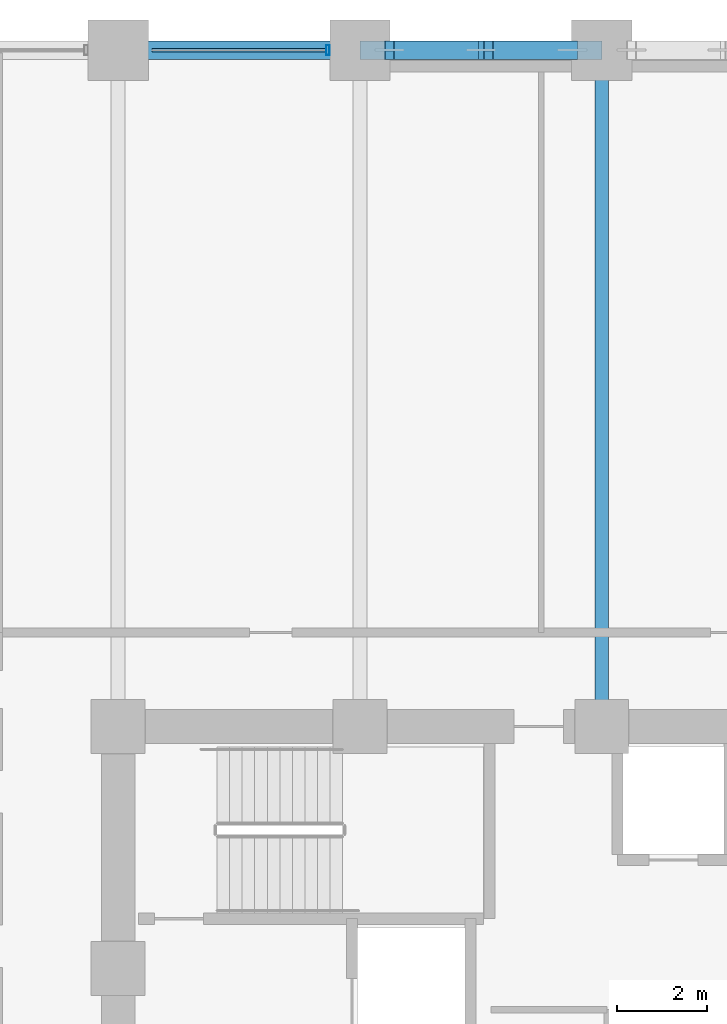
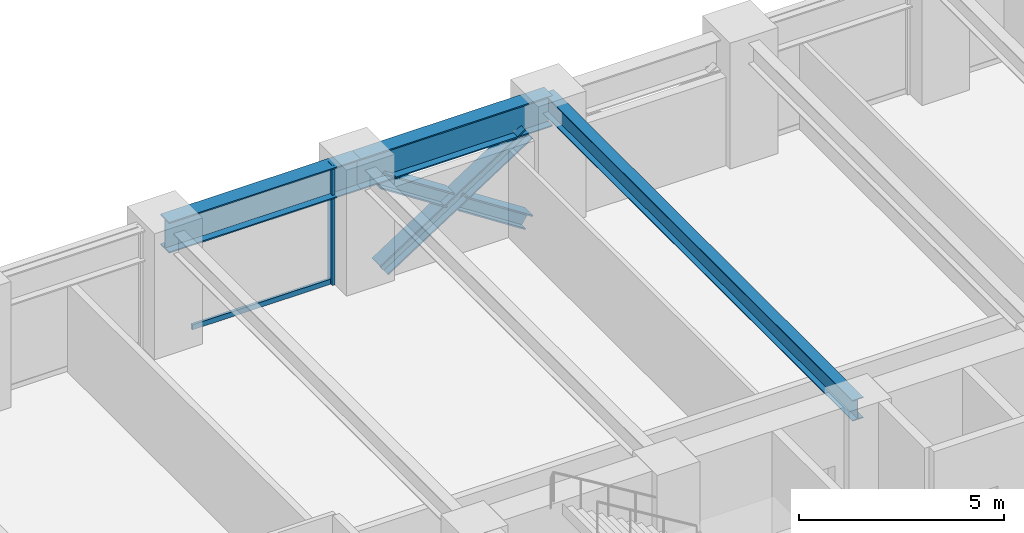
# One storey, part 13 of 25: 5 members, 3 beams, 1 element without a shape of its own.
"""IFC4 building model written with IfcOpenShell, lengths in metres."""

from ifc_helpers import new_model, si_unit, direction, frame, origin, origin_2d, place, context, subcontext, project, spatial, hollow_rectangle, i_section, extrude, material, layer, layer_set, material_profile, profile_set, type_object, element, aggregate, save


model = new_model("IFC4")

# Units and contexts
model_context = context("Model", 3, precision=1e-05, world=origin(), true_north=direction((0.0, 1.0)))
body_context = subcontext(model_context, "Body", "Model", "MODEL_VIEW")
ifc_project = project(units=[si_unit("LENGTHUNIT", "METRE"), si_unit("AREAUNIT", "SQUARE_METRE"), si_unit("VOLUMEUNIT", "CUBIC_METRE"), si_unit("PLANEANGLEUNIT", "RADIAN"), si_unit("MASSUNIT", "GRAM", prefix="KILO")], contexts=[model_context])

# Site, building, storey
site_placement = place(None, origin())
site = spatial("IfcSite", under=ifc_project, at=site_placement, CompositionType="ELEMENT")
building_placement = place(site_placement, origin())
building = spatial("IfcBuilding", under=site, at=building_placement, Name="Surkhivell Harbour Commons", CompositionType="ELEMENT")
storey_placement = place(building_placement, frame((0.0, 0.0, 41.25)))
storey = spatial("IfcBuildingStorey", under=building, at=storey_placement, Name="L10", CompositionType="ELEMENT", Elevation=41.25)

# Beams
ifc_material_1 = material(Name="Steel S355", Category="steel")
ifc_material_profile_1 = material_profile(ifc_material_1, i_section(OverallWidth=0.306884765625, OverallDepth=0.6201171875, WebThickness=0.01416015625, FlangeThickness=0.023681640625, at=origin_2d()), Name="UB610x305x179")
ifc_profile_set_1 = profile_set([ifc_material_profile_1], Name="Steel S355")
beam_type_1 = type_object("IfcBeamType", Name="BM-GRD-610A", PredefinedType="BEAM", material=ifc_profile_set_1)
beam_1_placement = place(storey_placement, frame((0.0, 10.800048828125, 3.260009765625), z_axis=(0.0, 1.0, 0.0), x_axis=(-1.0, 0.0, 0.0)))
element("IfcBeam", 1, at=beam_1_placement, inside=storey, type_object=beam_type_1, Name="L10 Floor Girder (0.0,10.8)", PredefinedType="BEAM", context=body_context, shape_type="SweptSolid", body=[
    extrude(i_section(OverallWidth=0.306884765625, OverallDepth=0.6201171875, WebThickness=0.01416015625, FlangeThickness=0.023681640625, at=origin_2d()), origin(), (0.0, 0.0, 1.0), 15.099853515625),
])
ifc_material_2 = material(Name="Steel S460", Category="steel")
ifc_material_profile_2 = material_profile(ifc_material_2, i_section(OverallWidth=0.419921875, OverallDepth=0.9208984375, WebThickness=0.021484375, FlangeThickness=0.03662109375, at=origin_2d()), Name="UB914x419x388")
ifc_profile_set_2 = profile_set([ifc_material_profile_2], Name="Steel S460")
beam_type_2 = type_object("IfcBeamType", Name="BM-SPN-914A", PredefinedType="SPANDREL", material=ifc_profile_set_2)
beam_2_placement = place(storey_placement, frame((-10.800048828125, 25.89990234375, 3.109619140625), z_axis=(1.0, 0.0, 0.0), x_axis=(0.0, 1.0, 0.0)))
element("IfcBeam", 2, at=beam_2_placement, inside=storey, type_object=beam_type_2, Name="L10 Tube Spandrel (-10.8,25.9)", PredefinedType="SPANDREL", context=body_context, shape_type="SweptSolid", body=[
    extrude(i_section(OverallWidth=0.419921875, OverallDepth=0.9208984375, WebThickness=0.021484375, FlangeThickness=0.03662109375, at=origin_2d()), origin(), (0.0, 0.0, 1.0), 5.400146484375),
])
beam_3_placement = place(storey_placement, frame((-5.39990234375, 25.89990234375, 3.109619140625), z_axis=(1.0, 0.0, 0.0), x_axis=(0.0, 1.0, 0.0)))
element("IfcBeam", 3, at=beam_3_placement, inside=storey, type_object=beam_type_2, Name="L10 Tube Spandrel (-5.4,25.9)", PredefinedType="SPANDREL", context=body_context, shape_type="SweptSolid", body=[
    extrude(i_section(OverallWidth=0.419921875, OverallDepth=0.9208984375, WebThickness=0.021484375, FlangeThickness=0.03662109375, at=origin_2d()), origin(), (0.0, 0.0, 1.0), 5.39990234375),
])

# Curtain wall, members
ifc_material_3 = material(Name="Anodised pale-metal aluminium and insulated glazing", Category="aluminium")
ifc_layer = layer(ifc_material_3, 0.219970703125)
ifc_layer_set = layer_set([ifc_layer], Name="Anodised pale-metal aluminium and insulated glazing")
curtain_wall_type = type_object("IfcCurtainWallType", Name="CW-SYS-Z1", PredefinedType="NOTDEFINED", material=ifc_layer_set)
curtain_wall_placement = place(storey_placement, origin())
curtain_wall = element("IfcCurtainWall", 4, at=curtain_wall_placement, inside=storey, type_object=curtain_wall_type, Name="L10 Curtain Wall CW-L10-E07S2", PredefinedType="NOTDEFINED")
ifc_material_4 = material(Name="Anodised pale-metal aluminium alloy 6063-T6", Category="aluminium")
ifc_material_profile_3 = material_profile(ifc_material_4, hollow_rectangle(XDim=0.074951171875, YDim=0.219970703125, WallThickness=0.00390625, at=origin_2d()), Name="ALU-MULL-75x220")
ifc_profile_set_3 = profile_set([ifc_material_profile_3], Name="Anodised pale-metal aluminium alloy 6063-T6")
member_type_1 = type_object("IfcMemberType", Name="CWM-220", PredefinedType="MULLION", material=ifc_profile_set_3)
member_1_placement = place(storey_placement, frame((-6.114501953125, 25.89990234375, 0.0), z_axis=(0.0, 0.0, 1.0), x_axis=(-1.0, 0.0, 0.0)))
member_1 = element("IfcMember", 5, at=member_1_placement, type_object=member_type_1, Name="CW-Z1 mullion 1", PredefinedType="MULLION", context=body_context, shape_type="SweptSolid", body=[
    extrude(hollow_rectangle(XDim=0.074951171875, YDim=0.219970703125, WallThickness=0.00390625, at=origin_2d()), origin(), (0.0, 0.0, 1.0), 3.570068359375),
])
ifc_material_profile_4 = material_profile(ifc_material_4, hollow_rectangle(XDim=0.074951171875, YDim=0.14990234375, WallThickness=0.00341796875, at=origin_2d()), Name="ALU-TRAN-75x150")
ifc_profile_set_4 = profile_set([ifc_material_profile_4], Name="Anodised pale-metal aluminium alloy 6063-T6")
member_type_2 = type_object("IfcMemberType", Name="CWT-150", PredefinedType="USERDEFINED", material=ifc_profile_set_4)
member_2_placement = place(storey_placement, frame((-6.152099609375, 25.89990234375, 0.074951171875), z_axis=(-1.0, 0.0, 0.0), x_axis=(0.0, -1.0, 0.0)))
member_2 = element("IfcMember", 6, at=member_2_placement, type_object=member_type_2, Name="CW-Z1 transom 1.1", ObjectType="TRANSOM", PredefinedType="USERDEFINED", context=body_context, shape_type="SweptSolid", body=[
    extrude(hollow_rectangle(XDim=0.074951171875, YDim=0.14990234375, WallThickness=0.00341796875, at=origin_2d()), origin(), (0.0, 0.0, 1.0), 3.89599609375),
])
aggregate(curtain_wall, [member_1, member_2])

# Members
ifc_material_profile_5 = material_profile(ifc_material_2, i_section(OverallWidth=0.406005859375, OverallDepth=0.416015625, WebThickness=0.026611328125, FlangeThickness=0.0390625, at=origin_2d()), Name="HD400x382")
ifc_profile_set_5 = profile_set([ifc_material_profile_5], Name="Steel S460")
member_type_3 = type_object("IfcMemberType", Name="MEM-BRC-HD382", PredefinedType="BRACE", material=ifc_profile_set_5)
member_3_placement = place(storey_placement, frame((-4.739990234375, 25.89990234375, 0.008056640625), z_axis=(0.83910375559, 0.0, 0.543971403067), x_axis=(0.0, 1.0, 0.0)))
element("IfcMember", 7, at=member_3_placement, inside=storey, type_object=member_type_3, Name="L10 Perimeter Mega-Brace MB- 01", PredefinedType="BRACE", context=body_context, shape_type="SweptSolid", body=[
    extrude(i_section(OverallWidth=0.406005859375, OverallDepth=0.416015625, WebThickness=0.026611328125, FlangeThickness=0.0390625, at=origin_2d()), origin(), (0.0, 0.0, 1.0), 4.8623046875),
])
member_4_placement = place(storey_placement, frame((-0.659912109375, 25.89990234375, 0.008056640625), z_axis=(-0.839117847051, 0.0, 0.54394966565), x_axis=(0.0, -1.0, 0.0)))
element("IfcMember", 8, at=member_4_placement, inside=storey, type_object=member_type_3, Name="L10 Perimeter Mega-Brace MB- 02", PredefinedType="BRACE", context=body_context, shape_type="SweptSolid", body=[
    extrude(i_section(OverallWidth=0.406005859375, OverallDepth=0.416015625, WebThickness=0.026611328125, FlangeThickness=0.0390625, at=origin_2d()), origin(), (0.0, 0.0, 1.0), 2.231689453125),
])
member_5_placement = place(storey_placement, frame((-2.86767578125, 25.89990234375, 1.439208984375), z_axis=(-0.83908547242, 0.0, 0.543999604756), x_axis=(0.0, -1.0, 0.0)))
element("IfcMember", 9, at=member_5_placement, inside=storey, type_object=member_type_3, Name="L10 Perimeter Mega-Brace MB- 03", PredefinedType="BRACE", context=body_context, shape_type="SweptSolid", body=[
    extrude(i_section(OverallWidth=0.406005859375, OverallDepth=0.416015625, WebThickness=0.026611328125, FlangeThickness=0.0390625, at=origin_2d()), origin(), (0.0, 0.0, 1.0), 2.2314453125),
])

save(model, "model.ifc")
